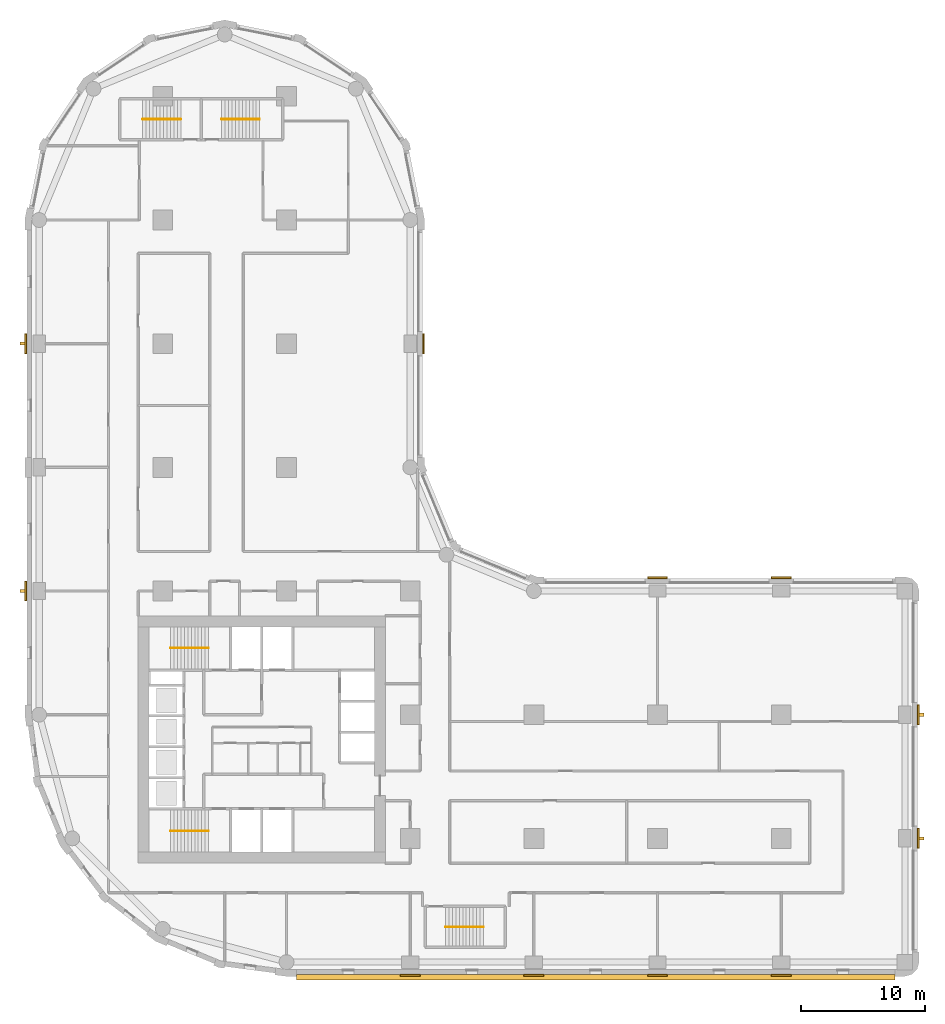
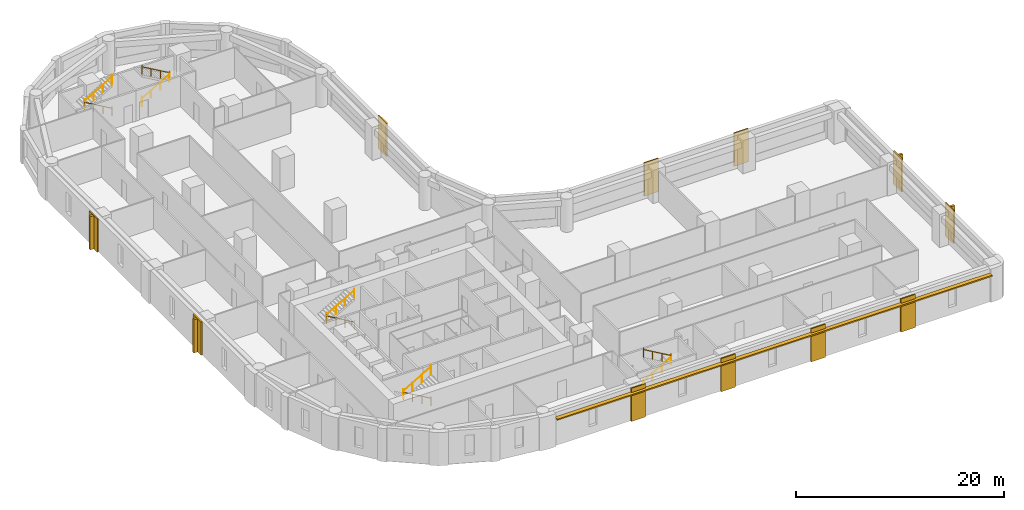
# One storey, part 10 of 11: 11 coverings, 10 railings, 5 shading devices.
"""IFC4 building model written with IfcOpenShell, lengths in metres."""

import ifcopenshell
import ifcopenshell.guid

model = None  # the IFC model being written
_history = None  # IfcOwnerHistory: only IFC2X3 demands one
_inside = {}  # id of a spatial element -> (the spatial element, [elements in it])
_under = {}  # id of a project, library or spatial element -> (it, [spatial elements below it])
_declared = {}  # id of a project -> (the project, [libraries it declares])
_typed = {}  # id of a type object -> (the type object, [elements of that type])
_made_of = {}  # id of a material, layer set ... -> (it, [elements and type objects made of it])


def new_model(schema):
    """Start an empty IFC model of exactly this schema.

    Asked for "IFC4X3", IfcOpenShell would pick the latest addendum, in which some entities
    have other attributes; the version numbers below select the first issue.
    IFC2X3 requires an IfcOwnerHistory on every rooted entity: one is made here for all.
    """
    global model, _history
    if schema == "IFC4X3":
        model = ifcopenshell.file(schema_version=(4, 3, 0, 0))
    else:
        model = ifcopenshell.file(schema=schema)
    _inside.clear()
    _under.clear()
    _declared.clear()
    _typed.clear()
    _made_of.clear()
    _history = None
    if model.schema == "IFC2X3":
        org = make("IfcOrganization", Name="unknown")
        user = make(
            "IfcPersonAndOrganization",
            ThePerson=make("IfcPerson", FamilyName="unknown"),
            TheOrganization=org,
        )
        app = make(
            "IfcApplication",
            ApplicationDeveloper=org,
            Version="unknown",
            ApplicationFullName="unknown",
            ApplicationIdentifier="unknown",
        )
        _history = make(
            "IfcOwnerHistory",
            OwningUser=user,
            OwningApplication=app,
            ChangeAction="ADDED",
            CreationDate=0,
        )
    return model


def make(cls, **values):
    """One entity of the class cls with the attributes given. An attribute that is None is left unset."""
    return model.create_entity(
        cls, **{name: value for name, value in values.items() if value is not None}
    )


def rooted(cls, **values):
    """An entity with a GlobalId (a new one), such as an element, a storey or a relation."""
    return make(cls, GlobalId=ifcopenshell.guid.new(), OwnerHistory=_history, **values)


def si_unit(unit_type, name, prefix=None):
    """IfcSIUnit, for example si_unit("LENGTHUNIT", "METRE", prefix="MILLI")."""
    return make("IfcSIUnit", UnitType=unit_type, Prefix=prefix, Name=name)


def assignment(units):
    """IfcUnitAssignment: the units of a project."""
    return None if units is None else make("IfcUnitAssignment", Units=units)


def point(xyz):
    """IfcCartesianPoint."""
    return None if xyz is None else make("IfcCartesianPoint", Coordinates=xyz)


def direction(xyz):
    """IfcDirection."""
    return None if xyz is None else make("IfcDirection", DirectionRatios=xyz)


def frame(location, z_axis=None, x_axis=None):
    """IfcAxis2Placement3D, a coordinate frame: its origin and axes. An axis left out is left unset."""
    return make(
        "IfcAxis2Placement3D",
        Location=point(location),
        Axis=direction(z_axis),
        RefDirection=direction(x_axis),
    )


def frame_2d(location, x_axis=None):
    """IfcAxis2Placement2D, a coordinate frame in the plane: its origin and x axis."""
    return make(
        "IfcAxis2Placement2D", Location=point(location), RefDirection=direction(x_axis)
    )


def origin():
    """The frame at (0, 0, 0) with its axes left unset."""
    return frame((0.0, 0.0, 0.0))


def origin_2d():
    """The frame at (0, 0) in the plane with its x axis left unset."""
    return frame_2d((0.0, 0.0))


def place(relative_to, where):
    """IfcLocalPlacement: puts the frame where relative to a parent placement (None: the world)."""
    return make(
        "IfcLocalPlacement", PlacementRelTo=relative_to, RelativePlacement=where
    )


def context(
    kind, dimensions, precision=None, world=None, true_north=None, identifier=None
):
    """IfcGeometricRepresentationContext, for example the 3D "Model" context."""
    return make(
        "IfcGeometricRepresentationContext",
        ContextIdentifier=identifier,
        ContextType=kind,
        CoordinateSpaceDimension=dimensions,
        Precision=precision,
        WorldCoordinateSystem=world,
        TrueNorth=true_north,
    )


def subcontext(parent, identifier, kind, view, scale=None):
    """IfcGeometricRepresentationSubContext, for example "Body" below "Model"."""
    return make(
        "IfcGeometricRepresentationSubContext",
        ContextIdentifier=identifier,
        ContextType=kind,
        ParentContext=parent,
        TargetScale=scale,
        TargetView=view,
    )


def project(units=None, contexts=None):
    """IfcProject with its units and contexts."""
    return rooted(
        "IfcProject",
        Name="project",
        RepresentationContexts=contexts,
        UnitsInContext=assignment(units),
    )


def spatial(cls, under=None, at=None, **own):
    """A site, building, storey or space (cls), placed at a placement, below another one or the project."""
    s = rooted(cls, ObjectPlacement=at, **own)
    if under is not None:
        _under.setdefault(under.id(), (under, []))[1].append(s)
    return s


def polyline(points):
    """IfcPolyline through the points."""
    return make("IfcPolyline", Points=[point(p) for p in points])


def profile(cls, at=None, kind="AREA", **sizes):
    """A parametric profile (cls). Its sizes go by their IFC names, for example OverallWidth=200.0."""
    return make(cls, ProfileType=kind, Position=at, **sizes)


def rectangle(**sizes):
    """IfcRectangleProfileDef."""
    return profile("IfcRectangleProfileDef", **sizes)


def circle(**sizes):
    """IfcCircleProfileDef."""
    return profile("IfcCircleProfileDef", **sizes)


def outline(outer, holes=None, kind="AREA"):
    """IfcArbitraryClosedProfileDef: a profile drawn as a closed curve; with holes, ...WithVoids."""
    if holes is None:
        return make("IfcArbitraryClosedProfileDef", ProfileType=kind, OuterCurve=outer)
    return make(
        "IfcArbitraryProfileDefWithVoids",
        ProfileType=kind,
        OuterCurve=outer,
        InnerCurves=holes,
    )


def extrude(swept, where, along, depth):
    """IfcExtrudedAreaSolid: the profile swept, set in the frame where, extruded along a direction by depth."""
    return make(
        "IfcExtrudedAreaSolid",
        SweptArea=swept,
        Position=where,
        ExtrudedDirection=direction(along),
        Depth=depth,
    )


def shape(context_of_items, identifier, shape_type, items):
    """IfcShapeRepresentation: the items that make up one representation, for example the "Body"."""
    return make(
        "IfcShapeRepresentation",
        ContextOfItems=context_of_items,
        RepresentationIdentifier=identifier,
        RepresentationType=shape_type,
        Items=items,
    )


def material(Name=None, Category=None):
    """IfcMaterial."""
    return make("IfcMaterial", Name=Name, Category=Category)


def layer(
    of_material, thickness, ventilated=None, Name=None, Category=None, Priority=None
):
    """IfcMaterialLayer: one layer of a wall or slab, of a material (None: an air gap)."""
    return make(
        "IfcMaterialLayer",
        Material=of_material,
        LayerThickness=thickness,
        IsVentilated=ventilated,
        Name=Name,
        Category=Category,
        Priority=Priority,
    )


def layer_set(layers, Name=None):
    """IfcMaterialLayerSet."""
    return make("IfcMaterialLayerSet", MaterialLayers=layers, LayerSetName=Name)


def made_of(thing, what):
    """Note that an element or type object is made of a material, layer set ...; save() writes the relation."""
    if what is not None:
        _made_of.setdefault(what.id(), (what, []))[1].append(thing)
    return thing


def type_object(cls, material=None, **own):
    """A type object (cls), such as IfcWallType, which elements share."""
    return made_of(rooted(cls, **own), material)


def element(
    cls,
    number,
    at=None,
    inside=None,
    cuts=None,
    type_object=None,
    material=None,
    context=None,
    identifier="Body",
    shape_type=None,
    held_by="IfcProductDefinitionShape",
    body=None,
    shapes=None,
    **own,
):
    """One element of the class cls, such as IfcWall. Its Tag is "e" and its number.

    at: its placement. inside: the storey or other place that contains it. cuts: it is an
    opening in that element (IfcRelVoidsElement). A single representation is given by context,
    identifier, shape_type and body (its items); several are given by shapes. held_by: the class
    of the entity that holds the representations. save() writes the other relations.
    """
    e = rooted(cls, Tag="e%d" % number, ObjectPlacement=at, **own)
    if body is not None:
        shapes = [shape(context, identifier, shape_type, body)]
    if shapes is not None:
        e.Representation = make(held_by, Representations=shapes)
    if inside is not None:
        _inside.setdefault(inside.id(), (inside, []))[1].append(e)
    if cuts is not None:
        rooted(
            "IfcRelVoidsElement", RelatingBuildingElement=cuts, RelatedOpeningElement=e
        )
    if type_object is not None:
        _typed.setdefault(type_object.id(), (type_object, []))[1].append(e)
    return made_of(e, material)


def aggregate(whole, parts):
    """IfcRelAggregates: a whole, such as a stair, and the parts it consists of."""
    return rooted("IfcRelAggregates", RelatingObject=whole, RelatedObjects=parts)


def save(model, path):
    """Write the relations noted so far, then the file.

    IfcRelAggregates (storeys below a building ...), IfcRelContainedInSpatialStructure (elements
    in a storey), IfcRelDefinesByType, IfcRelAssociatesMaterial and IfcRelDeclares: one each for
    every whole, place, type object, material and project.
    """
    for whole, parts in _under.values():
        aggregate(whole, parts)
    for where, things in _inside.values():
        rooted(
            "IfcRelContainedInSpatialStructure",
            RelatedElements=things,
            RelatingStructure=where,
        )
    for kind, things in _typed.values():
        rooted("IfcRelDefinesByType", RelatedObjects=things, RelatingType=kind)
    for what, things in _made_of.values():
        rooted("IfcRelAssociatesMaterial", RelatedObjects=things, RelatingMaterial=what)
    for by, libraries in _declared.values():
        rooted("IfcRelDeclares", RelatingContext=by, RelatedDefinitions=libraries)
    model.write(path)


model = new_model("IFC4")

# Units and contexts
model_context = context("Model", 3, precision=1e-05, world=origin(), true_north=direction((0.0, 1.0)))
body_context = subcontext(model_context, "Body", "Model", "MODEL_VIEW")
ifc_project = project(units=[si_unit("LENGTHUNIT", "METRE"), si_unit("AREAUNIT", "SQUARE_METRE"), si_unit("VOLUMEUNIT", "CUBIC_METRE"), si_unit("PLANEANGLEUNIT", "RADIAN"), si_unit("MASSUNIT", "GRAM", prefix="KILO")], contexts=[model_context])

# Site, building, storey
site_placement = place(None, origin())
site = spatial("IfcSite", under=ifc_project, at=site_placement, CompositionType="ELEMENT")
building_placement = place(site_placement, origin())
building = spatial("IfcBuilding", under=site, at=building_placement, Name="Qaws Garden Tower", CompositionType="ELEMENT")
storey_placement = place(building_placement, frame((0.0, 0.0, 23.699951171875)))
storey = spatial("IfcBuildingStorey", under=building, at=storey_placement, Name="L05", CompositionType="ELEMENT", Elevation=23.699951171875)

# Coverings
ifc_material_1 = material(Name="Clay facing brick masonry", Category="masonry")
ifc_layer_1 = layer(ifc_material_1, 0.14990234375)
ifc_layer_set_1 = layer_set([ifc_layer_1], Name="Clay facing brick masonry")
covering_type = type_object("IfcCoveringType", Name="Brick pilaster facing 150 x 1600", PredefinedType="CLADDING", material=ifc_layer_set_1)
placement = place(storey_placement, origin())
element("IfcCovering", 1, at=placement, inside=storey, type_object=covering_type, Name="E-L05-pier-01", PredefinedType="CLADDING", context=body_context, shape_type="SweptSolid", body=[
    extrude(outline(polyline([(29.199951171875, -1.0), (30.800048828125, -1.0), (30.800048828125, -1.14990234375), (29.199951171875, -1.14990234375), (29.199951171875, -1.0)])), origin(), (0.0, 0.0, 1.0), 3.900146484375),
])
element("IfcCovering", 2, at=placement, inside=storey, type_object=covering_type, Name="E-L05-pier-02", PredefinedType="CLADDING", context=body_context, shape_type="SweptSolid", body=[
    extrude(outline(polyline([(39.199951171875, -1.0), (40.800048828125, -1.0), (40.800048828125, -1.14990234375), (39.199951171875, -1.14990234375), (39.199951171875, -1.0)])), origin(), (0.0, 0.0, 1.0), 3.900146484375),
])
element("IfcCovering", 3, at=placement, inside=storey, type_object=covering_type, Name="E-L05-pier-03", PredefinedType="CLADDING", context=body_context, shape_type="SweptSolid", body=[
    extrude(outline(polyline([(49.199951171875, -1.0), (50.800048828125, -1.0), (50.800048828125, -1.14990234375), (49.199951171875, -1.14990234375), (49.199951171875, -1.0)])), origin(), (0.0, 0.0, 1.0), 3.900146484375),
])
element("IfcCovering", 4, at=placement, inside=storey, type_object=covering_type, Name="E-L05-pier-04", PredefinedType="CLADDING", context=body_context, shape_type="SweptSolid", body=[
    extrude(outline(polyline([(59.199951171875, -1.0), (60.800048828125, -1.0), (60.800048828125, -1.14990234375), (59.199951171875, -1.14990234375), (59.199951171875, -1.0)])), origin(), (0.0, 0.0, 1.0), 3.900146484375),
])
element("IfcCovering", 5, at=placement, inside=storey, type_object=covering_type, Name="E-L05-pier-06", PredefinedType="CLADDING", context=body_context, shape_type="SweptSolid", body=[
    extrude(outline(polyline([(71.0, 9.199951171875), (71.0, 10.800048828125), (71.14990234375, 10.800048828125), (71.14990234375, 9.199951171875), (71.0, 9.199951171875)])), origin(), (0.0, 0.0, 1.0), 3.900146484375),
])
element("IfcCovering", 6, at=placement, inside=storey, type_object=covering_type, Name="E-L05-pier-07", PredefinedType="CLADDING", context=body_context, shape_type="SweptSolid", body=[
    extrude(outline(polyline([(71.0, 19.199951171875), (71.0, 20.800048828125), (71.14990234375, 20.800048828125), (71.14990234375, 19.199951171875), (71.0, 19.199951171875)])), origin(), (0.0, 0.0, 1.0), 3.900146484375),
])
element("IfcCovering", 7, at=placement, inside=storey, type_object=covering_type, Name="E-L05-pier-09", PredefinedType="CLADDING", context=body_context, shape_type="SweptSolid", body=[
    extrude(outline(polyline([(60.800048828125, 31.0), (59.199951171875, 31.0), (59.199951171875, 31.14990234375), (60.800048828125, 31.14990234375), (60.800048828125, 31.0)])), origin(), (0.0, 0.0, 1.0), 3.900146484375),
])
element("IfcCovering", 8, at=placement, inside=storey, type_object=covering_type, Name="E-L05-pier-10", PredefinedType="CLADDING", context=body_context, shape_type="SweptSolid", body=[
    extrude(outline(polyline([(50.800048828125, 31.0), (49.199951171875, 31.0), (49.199951171875, 31.14990234375), (50.800048828125, 31.14990234375), (50.800048828125, 31.0)])), origin(), (0.0, 0.0, 1.0), 3.900146484375),
])
element("IfcCovering", 9, at=placement, inside=storey, type_object=covering_type, Name="E-L05-pier-14", PredefinedType="CLADDING", context=body_context, shape_type="SweptSolid", body=[
    extrude(outline(polyline([(31.0, 49.199951171875), (31.0, 50.800048828125), (31.14990234375, 50.800048828125), (31.14990234375, 49.199951171875), (31.0, 49.199951171875)])), origin(), (0.0, 0.0, 1.0), 3.900146484375),
])
element("IfcCovering", 10, at=placement, inside=storey, type_object=covering_type, Name="E-L05-pier-24", PredefinedType="CLADDING", context=body_context, shape_type="SweptSolid", body=[
    extrude(outline(polyline([(-1.0, 50.800048828125), (-1.0, 49.199951171875), (-1.14990234375, 49.199951171875), (-1.14990234375, 50.800048828125), (-1.0, 50.800048828125)])), origin(), (0.0, 0.0, 1.0), 3.900146484375),
])
element("IfcCovering", 11, at=placement, inside=storey, type_object=covering_type, Name="E-L05-pier-26", PredefinedType="CLADDING", context=body_context, shape_type="SweptSolid", body=[
    extrude(outline(polyline([(-1.0, 30.800048828125), (-1.0, 29.199951171875), (-1.14990234375, 29.199951171875), (-1.14990234375, 30.800048828125), (-1.0, 30.800048828125)])), origin(), (0.0, 0.0, 1.0), 3.900146484375),
])

# Shading devices
ifc_material_2 = material(Name="Clay facing brick masonry", Category="masonry")
ifc_layer_2 = layer(ifc_material_2, 0.14990234375)
ifc_layer_set_2 = layer_set([ifc_layer_2], Name="Clay facing brick masonry")
shading_device_type_1 = type_object("IfcShadingDeviceType", Name="Brick sunshade band 450 x 150", PredefinedType="JALOUSIE", material=ifc_layer_set_2)
shading_device_placement = place(storey_placement, frame((0.0, 0.0, 3.25)))
element("IfcShadingDevice", 12, at=shading_device_placement, inside=storey, type_object=shading_device_type_1, Name="SUNSHADE 00", PredefinedType="JALOUSIE", context=body_context, shape_type="SweptSolid", body=[
    extrude(outline(polyline([(20.800048828125, -1.0), (20.800048828125, -1.449951171875), (69.199951171875, -1.449951171875), (69.199951171875, -1.0), (60.800048828125, -1.0), (60.800048828125, -1.14990234375), (59.199951171875, -1.14990234375), (59.199951171875, -1.0), (50.800048828125, -1.0), (50.800048828125, -1.14990234375), (49.199951171875, -1.14990234375), (49.199951171875, -1.0), (40.800048828125, -1.0), (40.800048828125, -1.14990234375), (39.199951171875, -1.14990234375), (39.199951171875, -1.0), (30.800048828125, -1.0), (30.800048828125, -1.14990234375), (29.199951171875, -1.14990234375), (29.199951171875, -1.0), (20.800048828125, -1.0)])), origin(), (0.0, 0.0, 1.0), 0.150146484375),
])
ifc_material_3 = material(Name="Clay facing brick masonry", Category="masonry")
ifc_layer_3 = layer(ifc_material_3, 0.25)
ifc_layer_set_3 = layer_set([ifc_layer_3], Name="Clay facing brick masonry")
shading_device_type_2 = type_object("IfcShadingDeviceType", Name="Brick-faced fin 250 x 400", PredefinedType="USERDEFINED", material=ifc_layer_set_3)
for number, where, z_axis, x_axis, name in (
    (13, (71.35009765625, 10.0, 0.0), (0.0, 0.0, 1.0), (0.0, 1.0, 0.0), "FIN 06"),
    (14, (71.35009765625, 20.0, 0.0), (0.0, 0.0, 1.0), (0.0, 1.0, 0.0), "FIN 07"),
    (15, (-1.35009765625, 50.0, 0.0), (0.0, 0.0, 1.0), (0.0, -1.0, 0.0), "FIN 24"),
    (16, (-1.35009765625, 30.0, 0.0), (0.0, 0.0, 1.0), (0.0, -1.0, 0.0), "FIN 26"),
):
    element("IfcShadingDevice", number, at=place(storey_placement, frame(where, z_axis=z_axis, x_axis=x_axis)), inside=storey, type_object=shading_device_type_2, Name=name, ObjectType="FIN", PredefinedType="USERDEFINED", context=body_context, shape_type="SweptSolid", body=[
        extrude(rectangle(XDim=0.25, YDim=0.39990234375, at=origin_2d()), origin(), (0.0, 0.0, 1.0), 3.89990234375),
    ])

# Railings
ifc_material_4 = material(Name="Steel S355", Category="steel")
railing_type = type_object("IfcRailingType", Name="Stair handrail 900", PredefinedType="HANDRAIL", material=ifc_material_4)
railing_1_placement = place(storey_placement, frame((13.699951171875, 10.60009765625, 0.16259765625)))
element("IfcRailing", 17, at=railing_1_placement, inside=storey, type_object=railing_type, Name="Stair 1 handrail", PredefinedType="HANDRAIL", context=body_context, shape_type="SweptSolid", body=[
    extrude(circle(Radius=0.02392578125, at=origin_2d()), frame((0.0, 0.0, 0.8759765625), z_axis=(-0.864903211148, 0.0, 0.501938676878), x_axis=(0.0, -1.0, 0.0)), (0.0, 0.0, 1.0), 3.560791015625),
    extrude(circle(Radius=0.02099609375, at=origin_2d()), origin(), (0.0, 0.0, 1.0), 1.06201171875),
    extrude(circle(Radius=0.02099609375, at=origin_2d()), frame((-1.026611328125, 0.0, 0.595703125)), (0.0, 0.0, 1.0), 0.851806640625),
    extrude(circle(Radius=0.02099609375, at=origin_2d()), frame((-2.05322265625, 0.0, 1.191650390625)), (0.0, 0.0, 1.0), 0.851806640625),
    extrude(circle(Radius=0.02099609375, at=origin_2d()), frame((-3.079833984375, 0.0, 1.787353515625)), (0.0, 0.0, 1.0), 1.06201171875),
])
railing_2_placement = place(storey_placement, frame((10.6201171875, 10.60009765625, 2.112548828125)))
element("IfcRailing", 18, at=railing_2_placement, inside=storey, type_object=railing_type, Name="Stair 1 handrail", PredefinedType="HANDRAIL", context=body_context, shape_type="SweptSolid", body=[
    extrude(circle(Radius=0.02392578125, at=origin_2d()), frame((0.0, 0.0, 0.8759765625), z_axis=(0.864873446163, 0.0, 0.501989962173), x_axis=(0.0, 1.0, 0.0)), (0.0, 0.0, 1.0), 3.56103515625),
    extrude(circle(Radius=0.02099609375, at=origin_2d()), origin(), (0.0, 0.0, 1.0), 1.06201171875),
    extrude(circle(Radius=0.02099609375, at=origin_2d()), frame((1.026611328125, 0.0, 0.595947265625)), (0.0, 0.0, 1.0), 0.851806640625),
    extrude(circle(Radius=0.02099609375, at=origin_2d()), frame((2.05322265625, 0.0, 1.191650390625)), (0.0, 0.0, 1.0), 0.851806640625),
    extrude(circle(Radius=0.02099609375, at=origin_2d()), frame((3.079833984375, 0.0, 1.78759765625)), (0.0, 0.0, 1.0), 1.06201171875),
])
railing_3_placement = place(storey_placement, frame((13.699951171875, 25.39990234375, 0.16259765625)))
element("IfcRailing", 19, at=railing_3_placement, inside=storey, type_object=railing_type, Name="Stair 4 handrail", PredefinedType="HANDRAIL", context=body_context, shape_type="SweptSolid", body=[
    extrude(circle(Radius=0.02392578125, at=origin_2d()), frame((0.0, 0.0, 0.8759765625), z_axis=(-0.864903211148, 0.0, 0.501938676878), x_axis=(0.0, -1.0, 0.0)), (0.0, 0.0, 1.0), 3.560791015625),
    extrude(circle(Radius=0.02099609375, at=origin_2d()), origin(), (0.0, 0.0, 1.0), 1.06201171875),
    extrude(circle(Radius=0.02099609375, at=origin_2d()), frame((-1.026611328125, 0.0, 0.595703125)), (0.0, 0.0, 1.0), 0.851806640625),
    extrude(circle(Radius=0.02099609375, at=origin_2d()), frame((-2.05322265625, 0.0, 1.191650390625)), (0.0, 0.0, 1.0), 0.851806640625),
    extrude(circle(Radius=0.02099609375, at=origin_2d()), frame((-3.079833984375, 0.0, 1.787353515625)), (0.0, 0.0, 1.0), 1.06201171875),
])
railing_4_placement = place(storey_placement, frame((10.6201171875, 25.39990234375, 2.112548828125)))
element("IfcRailing", 20, at=railing_4_placement, inside=storey, type_object=railing_type, Name="Stair 4 handrail", PredefinedType="HANDRAIL", context=body_context, shape_type="SweptSolid", body=[
    extrude(circle(Radius=0.02392578125, at=origin_2d()), frame((0.0, 0.0, 0.8759765625), z_axis=(0.864873446163, 0.0, 0.501989962173), x_axis=(0.0, 1.0, 0.0)), (0.0, 0.0, 1.0), 3.56103515625),
    extrude(circle(Radius=0.02099609375, at=origin_2d()), origin(), (0.0, 0.0, 1.0), 1.06201171875),
    extrude(circle(Radius=0.02099609375, at=origin_2d()), frame((1.026611328125, 0.0, 0.595947265625)), (0.0, 0.0, 1.0), 0.851806640625),
    extrude(circle(Radius=0.02099609375, at=origin_2d()), frame((2.05322265625, 0.0, 1.191650390625)), (0.0, 0.0, 1.0), 0.851806640625),
    extrude(circle(Radius=0.02099609375, at=origin_2d()), frame((3.079833984375, 0.0, 1.78759765625)), (0.0, 0.0, 1.0), 1.06201171875),
])
railing_5_placement = place(storey_placement, frame((32.85009765625, 2.85009765625, 0.16259765625)))
element("IfcRailing", 21, at=railing_5_placement, inside=storey, type_object=railing_type, Name="Stair 5 handrail", PredefinedType="HANDRAIL", context=body_context, shape_type="SweptSolid", body=[
    extrude(circle(Radius=0.02392578125, at=origin_2d()), frame((0.0, 0.0, 0.8759765625), z_axis=(0.864903211148, 0.0, 0.501938676878), x_axis=(0.0, 1.0, 0.0)), (0.0, 0.0, 1.0), 3.560791015625),
    extrude(circle(Radius=0.02099609375, at=origin_2d()), origin(), (0.0, 0.0, 1.0), 1.06201171875),
    extrude(circle(Radius=0.02099609375, at=origin_2d()), frame((1.026611328125, 0.0, 0.595703125)), (0.0, 0.0, 1.0), 0.851806640625),
    extrude(circle(Radius=0.02099609375, at=origin_2d()), frame((2.05322265625, 0.0, 1.191650390625)), (0.0, 0.0, 1.0), 0.851806640625),
    extrude(circle(Radius=0.02099609375, at=origin_2d()), frame((3.079833984375, 0.0, 1.787353515625)), (0.0, 0.0, 1.0), 1.06201171875),
])
railing_6_placement = place(storey_placement, frame((35.929931640625, 2.85009765625, 2.112548828125)))
element("IfcRailing", 22, at=railing_6_placement, inside=storey, type_object=railing_type, Name="Stair 5 handrail", PredefinedType="HANDRAIL", context=body_context, shape_type="SweptSolid", body=[
    extrude(circle(Radius=0.02392578125, at=origin_2d()), frame((0.0, 0.0, 0.8759765625), z_axis=(-0.864873446163, 0.0, 0.501989962173), x_axis=(0.0, -1.0, 0.0)), (0.0, 0.0, 1.0), 3.56103515625),
    extrude(circle(Radius=0.02099609375, at=origin_2d()), origin(), (0.0, 0.0, 1.0), 1.06201171875),
    extrude(circle(Radius=0.02099609375, at=origin_2d()), frame((-1.026611328125, 0.0, 0.595947265625)), (0.0, 0.0, 1.0), 0.851806640625),
    extrude(circle(Radius=0.02099609375, at=origin_2d()), frame((-2.05322265625, 0.0, 1.191650390625)), (0.0, 0.0, 1.0), 0.851806640625),
    extrude(circle(Radius=0.02099609375, at=origin_2d()), frame((-3.079833984375, 0.0, 1.78759765625)), (0.0, 0.0, 1.0), 1.06201171875),
])
railing_7_placement = place(storey_placement, frame((11.449951171875, 68.14990234375, 0.16259765625)))
element("IfcRailing", 23, at=railing_7_placement, inside=storey, type_object=railing_type, Name="Stair 6 handrail", PredefinedType="HANDRAIL", context=body_context, shape_type="SweptSolid", body=[
    extrude(circle(Radius=0.02392578125, at=origin_2d()), frame((0.0, 0.0, 0.8759765625), z_axis=(-0.864903211148, 0.0, 0.501938676878), x_axis=(0.0, -1.0, 0.0)), (0.0, 0.0, 1.0), 3.560791015625),
    extrude(circle(Radius=0.02099609375, at=origin_2d()), origin(), (0.0, 0.0, 1.0), 1.06201171875),
    extrude(circle(Radius=0.02099609375, at=origin_2d()), frame((-1.026611328125, 0.0, 0.595703125)), (0.0, 0.0, 1.0), 0.851806640625),
    extrude(circle(Radius=0.02099609375, at=origin_2d()), frame((-2.05322265625, 0.0, 1.191650390625)), (0.0, 0.0, 1.0), 0.851806640625),
    extrude(circle(Radius=0.02099609375, at=origin_2d()), frame((-3.079833984375, 0.0, 1.787353515625)), (0.0, 0.0, 1.0), 1.06201171875),
])
railing_8_placement = place(storey_placement, frame((8.3701171875, 68.14990234375, 2.112548828125)))
element("IfcRailing", 24, at=railing_8_placement, inside=storey, type_object=railing_type, Name="Stair 6 handrail", PredefinedType="HANDRAIL", context=body_context, shape_type="SweptSolid", body=[
    extrude(circle(Radius=0.02392578125, at=origin_2d()), frame((0.0, 0.0, 0.8759765625), z_axis=(0.864873446163, 0.0, 0.501989962173), x_axis=(0.0, 1.0, 0.0)), (0.0, 0.0, 1.0), 3.56103515625),
    extrude(circle(Radius=0.02099609375, at=origin_2d()), origin(), (0.0, 0.0, 1.0), 1.06201171875),
    extrude(circle(Radius=0.02099609375, at=origin_2d()), frame((1.026611328125, 0.0, 0.595947265625)), (0.0, 0.0, 1.0), 0.851806640625),
    extrude(circle(Radius=0.02099609375, at=origin_2d()), frame((2.05322265625, 0.0, 1.191650390625)), (0.0, 0.0, 1.0), 0.851806640625),
    extrude(circle(Radius=0.02099609375, at=origin_2d()), frame((3.079833984375, 0.0, 1.78759765625)), (0.0, 0.0, 1.0), 1.06201171875),
])
railing_9_placement = place(storey_placement, frame((14.75, 68.14990234375, 0.16259765625)))
element("IfcRailing", 25, at=railing_9_placement, inside=storey, type_object=railing_type, Name="Stair 7 handrail", PredefinedType="HANDRAIL", context=body_context, shape_type="SweptSolid", body=[
    extrude(circle(Radius=0.02392578125, at=origin_2d()), frame((0.0, 0.0, 0.8759765625), z_axis=(0.864920483161, 0.0, 0.501908913857), x_axis=(0.0, 1.0, 0.0)), (0.0, 0.0, 1.0), 3.56103515625),
    extrude(circle(Radius=0.02099609375, at=origin_2d()), origin(), (0.0, 0.0, 1.0), 1.06201171875),
    extrude(circle(Radius=0.02099609375, at=origin_2d()), frame((1.026611328125, 0.0, 0.595703125)), (0.0, 0.0, 1.0), 0.851806640625),
    extrude(circle(Radius=0.02099609375, at=origin_2d()), frame((2.053466796875, 0.0, 1.191650390625)), (0.0, 0.0, 1.0), 0.851806640625),
    extrude(circle(Radius=0.02099609375, at=origin_2d()), frame((3.080078125, 0.0, 1.787353515625)), (0.0, 0.0, 1.0), 1.06201171875),
])
railing_10_placement = place(storey_placement, frame((17.830078125, 68.14990234375, 2.112548828125)))
element("IfcRailing", 26, at=railing_10_placement, inside=storey, type_object=railing_type, Name="Stair 7 handrail", PredefinedType="HANDRAIL", context=body_context, shape_type="SweptSolid", body=[
    extrude(circle(Radius=0.02392578125, at=origin_2d()), frame((0.0, 0.0, 0.8759765625), z_axis=(-0.864890721111, 0.0, 0.501960198159), x_axis=(0.0, -1.0, 0.0)), (0.0, 0.0, 1.0), 3.561279296875),
    extrude(circle(Radius=0.02099609375, at=origin_2d()), origin(), (0.0, 0.0, 1.0), 1.06201171875),
    extrude(circle(Radius=0.02099609375, at=origin_2d()), frame((-1.026611328125, 0.0, 0.595947265625)), (0.0, 0.0, 1.0), 0.851806640625),
    extrude(circle(Radius=0.02099609375, at=origin_2d()), frame((-2.053466796875, 0.0, 1.191650390625)), (0.0, 0.0, 1.0), 0.851806640625),
    extrude(circle(Radius=0.02099609375, at=origin_2d()), frame((-3.080078125, 0.0, 1.78759765625)), (0.0, 0.0, 1.0), 1.06201171875),
])

save(model, "model.ifc")
